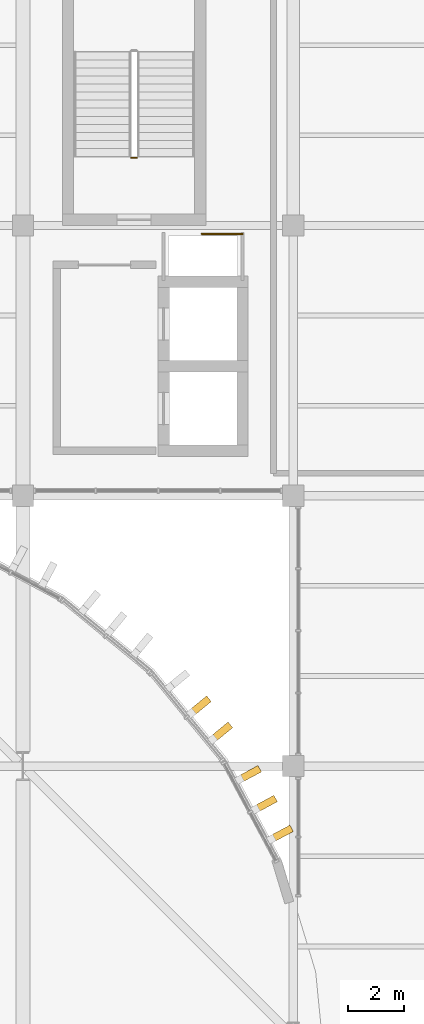
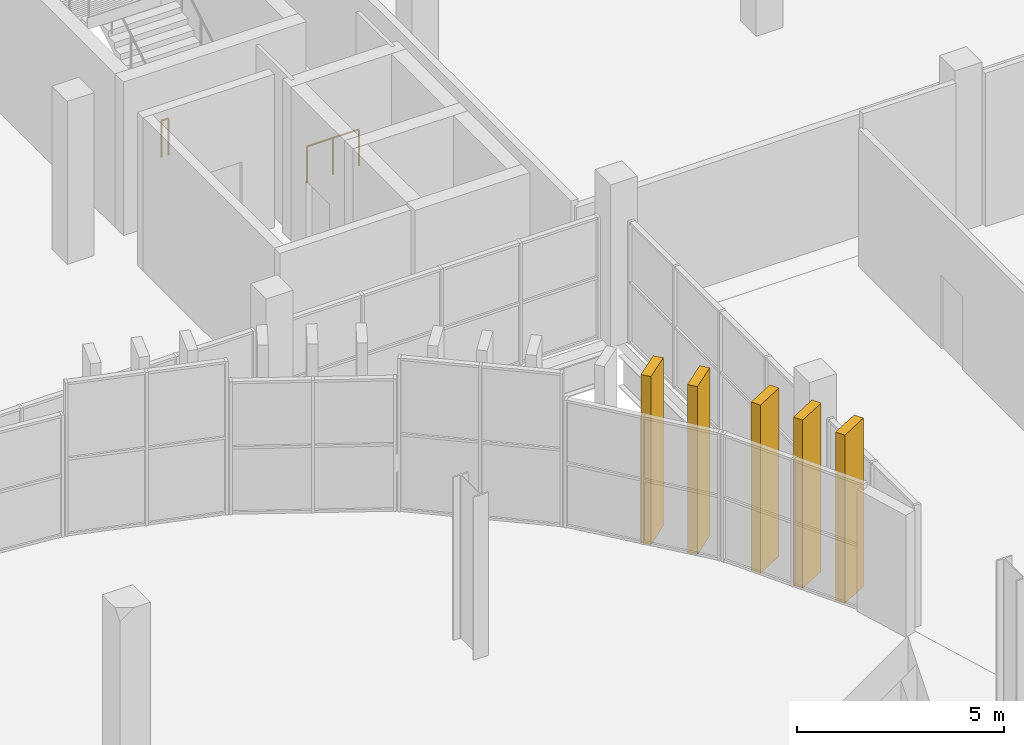
# One storey, part 97 of 99: 5 coverings, 2 railings.
"""IFC4 building model written with IfcOpenShell, lengths in metres."""

from ifc_helpers import new_model, si_unit, direction, frame, origin, origin_2d, place, context, subcontext, project, spatial, rectangle, circle, extrude, material, material_profile, profile_set, type_object, element, save


model = new_model("IFC4")

# Units and contexts
model_context = context("Model", 3, precision=1e-05, world=origin(), true_north=direction((0.0, 1.0)))
body_context = subcontext(model_context, "Body", "Model", "MODEL_VIEW")
ifc_project = project(units=[si_unit("LENGTHUNIT", "METRE"), si_unit("AREAUNIT", "SQUARE_METRE"), si_unit("VOLUMEUNIT", "CUBIC_METRE"), si_unit("PLANEANGLEUNIT", "RADIAN"), si_unit("MASSUNIT", "GRAM", prefix="KILO")], contexts=[model_context])

# Site, building, storey
site_placement = place(None, origin())
site = spatial("IfcSite", under=ifc_project, at=site_placement, CompositionType="ELEMENT")
building_placement = place(site_placement, origin())
building = spatial("IfcBuilding", under=site, at=building_placement, Name="Caelomonte Colonnade Arena", CompositionType="ELEMENT")
storey_placement = place(building_placement, frame((0.0, 0.0, 4.800048828125)))
storey = spatial("IfcBuildingStorey", under=building, at=storey_placement, Name="L01", CompositionType="ELEMENT", Elevation=4.800048828125)

# Coverings
ifc_material_1 = material(Name="Precast travertine cladding", Category="masonry")
ifc_material_profile = material_profile(ifc_material_1, rectangle(XDim=0.260009765625, YDim=0.85009765625, at=origin_2d()), Name="FIN260X850")
ifc_profile_set = profile_set([ifc_material_profile], Name="Precast travertine cladding")
covering_type = type_object("IfcCoveringType", Name="ENV-FN-SHAFT", PredefinedType="CLADDING", material=ifc_profile_set)
for number, where, z_axis, x_axis, name in (
    (1, (162.768310546875, 103.19189453125, -0.16015625), (0.0, 0.0, 1.0), (0.471396736826, -0.881921264348, 0.0), "V1 L01 classical travertine vertical fin 75"),
    (2, (162.202392578125, 104.250244140625, -0.16015625), (0.0, 0.0, 1.0), (0.471396736826, -0.881921264348, 0.0), "V1 L01 classical travertine vertical fin 76"),
    (3, (161.63671875, 105.30859375, -0.16015625), (0.0, 0.0, 1.0), (0.471396736826, -0.881921264348, 0.0), "V1 L01 classical travertine vertical fin 77"),
    (4, (160.641845703125, 106.797607421875, -0.16015625), (0.0, 0.0, 1.0), (0.634413521313, -0.77299384472, 0.0), "V1 L01 classical travertine vertical fin 78"),
    (5, (159.880615234375, 107.72509765625, -0.16015625), (0.0, 0.0, 1.0), (0.634413521313, -0.77299384472, 0.0), "V1 L01 classical travertine vertical fin 79"),
):
    element("IfcCovering", number, at=place(storey_placement, frame(where, z_axis=z_axis, x_axis=x_axis)), inside=storey, type_object=covering_type, Name=name, PredefinedType="CLADDING", context=body_context, shape_type="SweptSolid", body=[
        extrude(rectangle(XDim=0.260009765625, YDim=0.85009765625, at=origin_2d()), origin(), (0.0, 0.0, 1.0), 4.960205078125),
    ])

# Railings
ifc_material_2 = material(Name="Painted galvanized steel stair guard", Category="steel")
railing_type = type_object("IfcRailingType", Name="INT-RL-GRD", PredefinedType="GUARDRAIL", material=ifc_material_2)
railing_1_placement = place(storey_placement, frame((157.64990234375, 127.199951171875, 0.0)))
element("IfcRailing", 6, at=railing_1_placement, inside=storey, type_object=railing_type, Name="L01 ST-06 stair guard 4", PredefinedType="GUARDRAIL", context=body_context, shape_type="SweptSolid", body=[
    extrude(circle(Radius=0.02392578125, at=origin_2d()), frame((0.0, 0.0, 1.076171875), z_axis=(-1.0, 0.0, 0.0), x_axis=(0.0, -1.0, 0.0)), (0.0, 0.0, 1.0), 0.199951171875),
    extrude(circle(Radius=0.02099609375, at=origin_2d()), origin(), (0.0, 0.0, 1.0), 1.048095703125),
    extrude(circle(Radius=0.02099609375, at=origin_2d()), frame((-0.199951171875, 0.0, 0.0)), (0.0, 0.0, 1.0), 1.048095703125),
])
railing_2_placement = place(storey_placement, frame((159.949951171875, 124.5, 0.0)))
element("IfcRailing", 7, at=railing_2_placement, inside=storey, type_object=railing_type, Name="Core C6 L01 riser opening guard", PredefinedType="GUARDRAIL", context=body_context, shape_type="SweptSolid", body=[
    extrude(circle(Radius=0.02392578125, at=origin_2d()), frame((0.0, 0.0, 1.076171875), z_axis=(1.0, 0.0, 0.0), x_axis=(0.0, 1.0, 0.0)), (0.0, 0.0, 1.0), 1.449951171875),
    extrude(circle(Radius=0.02099609375, at=origin_2d()), origin(), (0.0, 0.0, 1.0), 1.048095703125),
    extrude(circle(Radius=0.02099609375, at=origin_2d()), frame((0.72509765625, 0.0, 0.0)), (0.0, 0.0, 1.0), 1.048095703125),
    extrude(circle(Radius=0.02099609375, at=origin_2d()), frame((1.449951171875, 0.0, 0.0)), (0.0, 0.0, 1.0), 1.048095703125),
])

save(model, "model.ifc")
